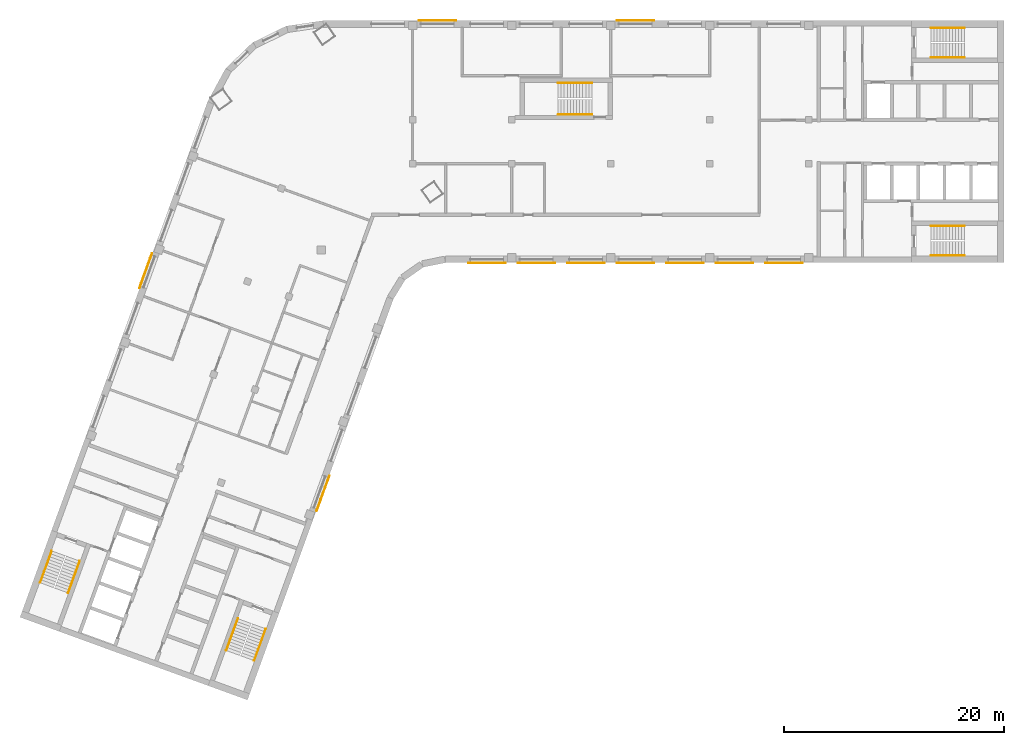
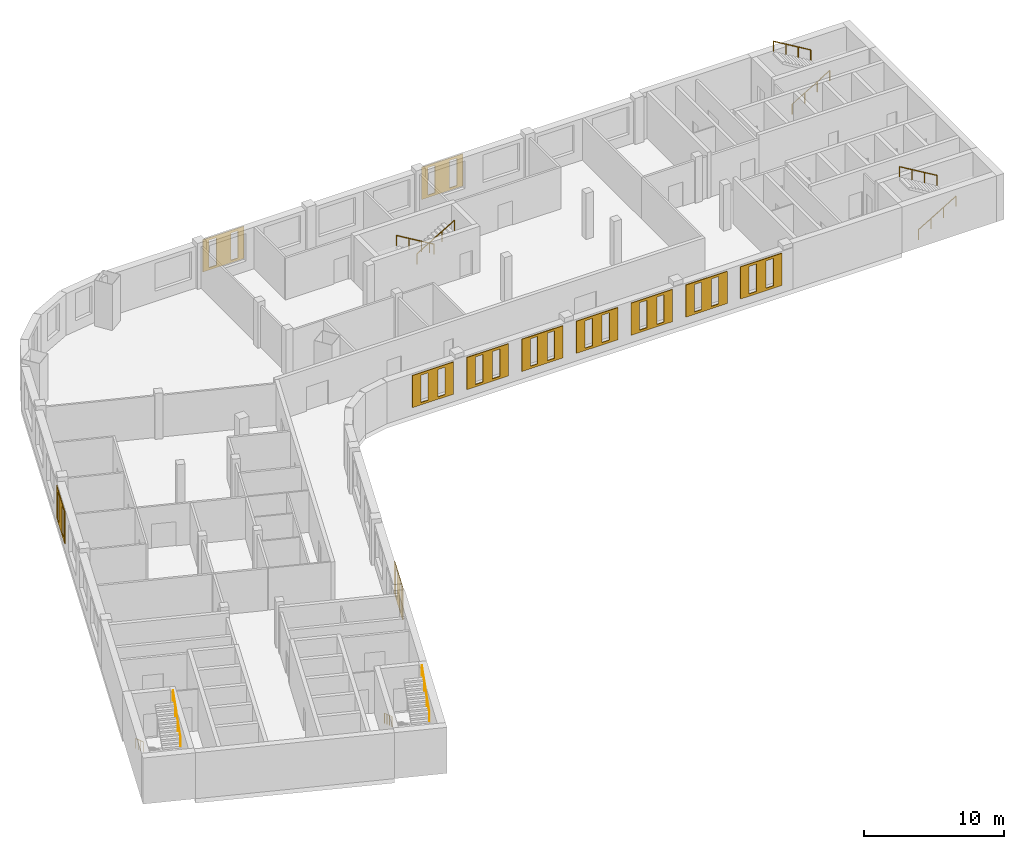
# One storey, part 8 of 8: 11 coverings, 10 railings.
"""IFC4 building model written with IfcOpenShell, lengths in metres."""

from ifc_helpers import new_model, si_unit, direction, frame, origin, origin_2d, place, context, subcontext, project, spatial, polyline, circle, outline, extrude, material, material_profile, profile_set, type_object, element, save


model = new_model("IFC4")

# Units and contexts
model_context = context("Model", 3, precision=1e-05, world=origin(), true_north=direction((0.0, 1.0)))
body_context = subcontext(model_context, "Body", "Model", "MODEL_VIEW")
ifc_project = project(units=[si_unit("LENGTHUNIT", "METRE"), si_unit("AREAUNIT", "SQUARE_METRE"), si_unit("VOLUMEUNIT", "CUBIC_METRE"), si_unit("PLANEANGLEUNIT", "RADIAN"), si_unit("MASSUNIT", "GRAM", prefix="KILO")], contexts=[model_context])

# Site, building, storey
site_placement = place(None, origin())
site = spatial("IfcSite", under=ifc_project, at=site_placement, CompositionType="ELEMENT")
building_placement = place(site_placement, origin())
building = spatial("IfcBuilding", under=site, at=building_placement, Name="Skarvind Civic Tower", CompositionType="ELEMENT")
storey_placement = place(building_placement, frame((0.0, 0.0, 232.0)))
storey = spatial("IfcBuildingStorey", under=building, at=storey_placement, Name="L55", CompositionType="ELEMENT", Elevation=232.0)

# Railings
ifc_material_1 = material(Name="Painted steel handrail", Category="steel")
railing_type = type_object("IfcRailingType", Name="Stair handrail 900", PredefinedType="HANDRAIL", material=ifc_material_1)
railing_1_placement = place(storey_placement, frame((101.35009765625, 135.64990234375, 0.166748046875)))
element("IfcRailing", 1, at=railing_1_placement, inside=storey, type_object=railing_type, Name="Stair handrail", PredefinedType="HANDRAIL", context=body_context, shape_type="SweptSolid", body=[
    extrude(circle(Radius=0.02392578125, at=origin_2d()), frame((0.0, 0.0, 0.8759765625), z_axis=(0.859290745958, 0.0, 0.51148745235), x_axis=(0.0, 1.0, 0.0)), (0.0, 0.0, 1.0), 3.584228515625),
    extrude(circle(Radius=0.02099609375, at=origin_2d()), origin(), (0.0, 0.0, 1.0), 0.851806640625),
    extrude(circle(Radius=0.02099609375, at=origin_2d()), frame((1.026611328125, 0.0, 0.611083984375)), (0.0, 0.0, 1.0), 0.851806640625),
    extrude(circle(Radius=0.02099609375, at=origin_2d()), frame((2.05322265625, 0.0, 1.22216796875)), (0.0, 0.0, 1.0), 0.851806640625),
    extrude(circle(Radius=0.02099609375, at=origin_2d()), frame((3.079833984375, 0.0, 1.833251953125)), (0.0, 0.0, 1.0), 0.851806640625),
])
railing_2_placement = place(storey_placement, frame((104.429931640625, 138.35009765625, 2.166748046875)))
element("IfcRailing", 2, at=railing_2_placement, inside=storey, type_object=railing_type, Name="Stair handrail", PredefinedType="HANDRAIL", context=body_context, shape_type="SweptSolid", body=[
    extrude(circle(Radius=0.02392578125, at=origin_2d()), frame((0.0, 0.0, 0.8759765625), z_axis=(-0.859290745958, 0.0, 0.51148745235), x_axis=(0.0, -1.0, 0.0)), (0.0, 0.0, 1.0), 3.584228515625),
    extrude(circle(Radius=0.02099609375, at=origin_2d()), origin(), (0.0, 0.0, 1.0), 0.851806640625),
    extrude(circle(Radius=0.02099609375, at=origin_2d()), frame((-1.026611328125, 0.0, 0.611083984375)), (0.0, 0.0, 1.0), 0.851806640625),
    extrude(circle(Radius=0.02099609375, at=origin_2d()), frame((-2.05322265625, 0.0, 1.22216796875)), (0.0, 0.0, 1.0), 0.851806640625),
    extrude(circle(Radius=0.02099609375, at=origin_2d()), frame((-3.079833984375, 0.0, 1.833251953125)), (0.0, 0.0, 1.0), 0.851806640625),
])
railing_3_placement = place(storey_placement, frame((101.35009765625, 117.64990234375, 0.166748046875)))
element("IfcRailing", 3, at=railing_3_placement, inside=storey, type_object=railing_type, Name="Stair handrail", PredefinedType="HANDRAIL", context=body_context, shape_type="SweptSolid", body=[
    extrude(circle(Radius=0.02392578125, at=origin_2d()), frame((0.0, 0.0, 0.8759765625), z_axis=(0.859290745958, 0.0, 0.51148745235), x_axis=(0.0, 1.0, 0.0)), (0.0, 0.0, 1.0), 3.584228515625),
    extrude(circle(Radius=0.02099609375, at=origin_2d()), origin(), (0.0, 0.0, 1.0), 0.851806640625),
    extrude(circle(Radius=0.02099609375, at=origin_2d()), frame((1.026611328125, 0.0, 0.611083984375)), (0.0, 0.0, 1.0), 0.851806640625),
    extrude(circle(Radius=0.02099609375, at=origin_2d()), frame((2.05322265625, 0.0, 1.22216796875)), (0.0, 0.0, 1.0), 0.851806640625),
    extrude(circle(Radius=0.02099609375, at=origin_2d()), frame((3.079833984375, 0.0, 1.833251953125)), (0.0, 0.0, 1.0), 0.851806640625),
])
railing_4_placement = place(storey_placement, frame((104.429931640625, 120.35009765625, 2.166748046875)))
element("IfcRailing", 4, at=railing_4_placement, inside=storey, type_object=railing_type, Name="Stair handrail", PredefinedType="HANDRAIL", context=body_context, shape_type="SweptSolid", body=[
    extrude(circle(Radius=0.02392578125, at=origin_2d()), frame((0.0, 0.0, 0.8759765625), z_axis=(-0.859290745958, 0.0, 0.51148745235), x_axis=(0.0, -1.0, 0.0)), (0.0, 0.0, 1.0), 3.584228515625),
    extrude(circle(Radius=0.02099609375, at=origin_2d()), origin(), (0.0, 0.0, 1.0), 0.851806640625),
    extrude(circle(Radius=0.02099609375, at=origin_2d()), frame((-1.026611328125, 0.0, 0.611083984375)), (0.0, 0.0, 1.0), 0.851806640625),
    extrude(circle(Radius=0.02099609375, at=origin_2d()), frame((-2.05322265625, 0.0, 1.22216796875)), (0.0, 0.0, 1.0), 0.851806640625),
    extrude(circle(Radius=0.02099609375, at=origin_2d()), frame((-3.079833984375, 0.0, 1.833251953125)), (0.0, 0.0, 1.0), 0.851806640625),
])
railing_5_placement = place(storey_placement, frame((38.362060546875, 84.64794921875, 0.166748046875)))
element("IfcRailing", 5, at=railing_5_placement, inside=storey, type_object=railing_type, Name="Stair handrail", PredefinedType="HANDRAIL", context=body_context, shape_type="SweptSolid", body=[
    extrude(circle(Radius=0.02392578125, at=origin_2d()), frame((0.0, 0.0, 0.8759765625), z_axis=(-0.293908055923, -0.807480881337, 0.511461319103), x_axis=(0.939689235759, -0.342029443467, 0.0)), (0.0, 0.0, 1.0), 3.584228515625),
    extrude(circle(Radius=0.02099609375, at=origin_2d()), origin(), (0.0, 0.0, 1.0), 0.851806640625),
    extrude(circle(Radius=0.02099609375, at=origin_2d()), frame((-0.35107421875, -0.96484375, 0.611083984375)), (0.0, 0.0, 1.0), 0.851806640625),
    extrude(circle(Radius=0.02099609375, at=origin_2d()), frame((-0.702392578125, -1.929443359375, 1.22216796875)), (0.0, 0.0, 1.0), 0.851806640625),
    extrude(circle(Radius=0.02099609375, at=origin_2d()), frame((-1.053466796875, -2.894287109375, 1.833251953125)), (0.0, 0.0, 1.0), 0.851806640625),
])
railing_6_placement = place(storey_placement, frame((39.845703125, 80.830078125, 2.166748046875)))
element("IfcRailing", 6, at=railing_6_placement, inside=storey, type_object=railing_type, Name="Stair handrail", PredefinedType="HANDRAIL", context=body_context, shape_type="SweptSolid", body=[
    extrude(circle(Radius=0.02392578125, at=origin_2d()), frame((0.0, 0.0, 0.8759765625), z_axis=(0.293908055923, 0.807480881337, 0.511461319103), x_axis=(-0.939689235759, 0.342029443467, 0.0)), (0.0, 0.0, 1.0), 3.584228515625),
    extrude(circle(Radius=0.02099609375, at=origin_2d()), origin(), (0.0, 0.0, 1.0), 0.851806640625),
    extrude(circle(Radius=0.02099609375, at=origin_2d()), frame((0.35107421875, 0.96484375, 0.611083984375)), (0.0, 0.0, 1.0), 0.851806640625),
    extrude(circle(Radius=0.02099609375, at=origin_2d()), frame((0.702392578125, 1.929443359375, 1.22216796875)), (0.0, 0.0, 1.0), 0.851806640625),
    extrude(circle(Radius=0.02099609375, at=origin_2d()), frame((1.053466796875, 2.894287109375, 1.833251953125)), (0.0, 0.0, 1.0), 0.851806640625),
])
railing_7_placement = place(storey_placement, frame((21.447509765625, 90.80419921875, 0.166748046875)))
element("IfcRailing", 7, at=railing_7_placement, inside=storey, type_object=railing_type, Name="Stair handrail", PredefinedType="HANDRAIL", context=body_context, shape_type="SweptSolid", body=[
    extrude(circle(Radius=0.02392578125, at=origin_2d()), frame((0.0, 0.0, 0.8759765625), z_axis=(-0.293845824691, -0.807497044902, 0.511471557163), x_axis=(0.939714709796, -0.34195944817, 0.0)), (0.0, 0.0, 1.0), 3.584228515625),
    extrude(circle(Radius=0.02099609375, at=origin_2d()), origin(), (0.0, 0.0, 1.0), 0.851806640625),
    extrude(circle(Radius=0.02099609375, at=origin_2d()), frame((-0.35107421875, -0.96484375, 0.611083984375)), (0.0, 0.0, 1.0), 0.851806640625),
    extrude(circle(Radius=0.02099609375, at=origin_2d()), frame((-0.7021484375, -1.929443359375, 1.22216796875)), (0.0, 0.0, 1.0), 0.851806640625),
    extrude(circle(Radius=0.02099609375, at=origin_2d()), frame((-1.05322265625, -2.894287109375, 1.833251953125)), (0.0, 0.0, 1.0), 0.851806640625),
])
railing_8_placement = place(storey_placement, frame((22.931396484375, 86.986572265625, 2.166748046875)))
element("IfcRailing", 8, at=railing_8_placement, inside=storey, type_object=railing_type, Name="Stair handrail", PredefinedType="HANDRAIL", context=body_context, shape_type="SweptSolid", body=[
    extrude(circle(Radius=0.02392578125, at=origin_2d()), frame((0.0, 0.0, 0.8759765625), z_axis=(0.293908055923, 0.807480881337, 0.511461319103), x_axis=(-0.939689235759, 0.342029443467, 0.0)), (0.0, 0.0, 1.0), 3.584228515625),
    extrude(circle(Radius=0.02099609375, at=origin_2d()), origin(), (0.0, 0.0, 1.0), 0.851806640625),
    extrude(circle(Radius=0.02099609375, at=origin_2d()), frame((0.35107421875, 0.96484375, 0.611083984375)), (0.0, 0.0, 1.0), 0.851806640625),
    extrude(circle(Radius=0.02099609375, at=origin_2d()), frame((0.702392578125, 1.929443359375, 1.22216796875)), (0.0, 0.0, 1.0), 0.851806640625),
    extrude(circle(Radius=0.02099609375, at=origin_2d()), frame((1.053466796875, 2.894287109375, 1.833251953125)), (0.0, 0.0, 1.0), 0.851806640625),
])
railing_9_placement = place(storey_placement, frame((70.550048828125, 133.35009765625, 0.166748046875)))
element("IfcRailing", 9, at=railing_9_placement, inside=storey, type_object=railing_type, Name="Stair handrail", PredefinedType="HANDRAIL", context=body_context, shape_type="SweptSolid", body=[
    extrude(circle(Radius=0.02392578125, at=origin_2d()), frame((0.0, 0.0, 0.8759765625), z_axis=(-0.859308565015, 0.0, 0.511457515432), x_axis=(0.0, -1.0, 0.0)), (0.0, 0.0, 1.0), 3.58447265625),
    extrude(circle(Radius=0.02099609375, at=origin_2d()), origin(), (0.0, 0.0, 1.0), 0.851806640625),
    extrude(circle(Radius=0.02099609375, at=origin_2d()), frame((-1.026611328125, 0.0, 0.611083984375)), (0.0, 0.0, 1.0), 0.851806640625),
    extrude(circle(Radius=0.02099609375, at=origin_2d()), frame((-2.053466796875, 0.0, 1.22216796875)), (0.0, 0.0, 1.0), 0.851806640625),
    extrude(circle(Radius=0.02099609375, at=origin_2d()), frame((-3.080078125, 0.0, 1.833251953125)), (0.0, 0.0, 1.0), 0.851806640625),
])
railing_10_placement = place(storey_placement, frame((67.469970703125, 130.449951171875, 2.166748046875)))
element("IfcRailing", 10, at=railing_10_placement, inside=storey, type_object=railing_type, Name="Stair handrail", PredefinedType="HANDRAIL", context=body_context, shape_type="SweptSolid", body=[
    extrude(circle(Radius=0.02392578125, at=origin_2d()), frame((0.0, 0.0, 0.8759765625), z_axis=(0.859308565015, 0.0, 0.511457515432), x_axis=(0.0, 1.0, 0.0)), (0.0, 0.0, 1.0), 3.58447265625),
    extrude(circle(Radius=0.02099609375, at=origin_2d()), origin(), (0.0, 0.0, 1.0), 0.851806640625),
    extrude(circle(Radius=0.02099609375, at=origin_2d()), frame((1.026611328125, 0.0, 0.611083984375)), (0.0, 0.0, 1.0), 0.851806640625),
    extrude(circle(Radius=0.02099609375, at=origin_2d()), frame((2.053466796875, 0.0, 1.22216796875)), (0.0, 0.0, 1.0), 0.851806640625),
    extrude(circle(Radius=0.02099609375, at=origin_2d()), frame((3.080078125, 0.0, 1.833251953125)), (0.0, 0.0, 1.0), 0.851806640625),
])

# Coverings
ifc_material_2 = material(Name="Terracotta", Category="masonry")
ifc_material_profile_1 = material_profile(ifc_material_2, outline(polyline([(-1.699951171875, -1.39990234375), (1.699951171875, -1.39990234375), (1.699951171875, 1.39990234375), (-1.699951171875, 1.39990234375), (-1.699951171875, -1.39990234375)]), holes=[polyline([(-1.0, -1.18994140625), (-0.39990234375, -1.18994140625), (-0.39990234375, 1.18994140625), (-1.0, 1.18994140625), (-1.0, -1.18994140625)]), polyline([(0.39990234375, -1.18994140625), (1.0, -1.18994140625), (1.0, 1.18994140625), (0.39990234375, 1.18994140625), (0.39990234375, -1.18994140625)])]), Name="TERRACOTTA SCREEN 3400 x 2800, SLIT PITCH 1400")
ifc_profile_set_1 = profile_set([ifc_material_profile_1], Name="Terracotta")
covering_type_1 = type_object("IfcCoveringType", Name="TERRACOTTA SCREEN 3400 x 2800, SLIT PITCH 1400", PredefinedType="CLADDING", material=ifc_profile_set_1)
for number, where, z_axis, x_axis, name in (
    (11, (88.0, 117.0, 2.10009765625), (0.0, -1.0, 0.0), (1.0, 0.0, 0.0), "TERRACOTTA SCREEN"),
    (12, (83.5, 117.0, 2.10009765625), (0.0, -1.0, 0.0), (1.0, 0.0, 0.0), "TERRACOTTA SCREEN"),
    (13, (79.0, 117.0, 2.10009765625), (0.0, -1.0, 0.0), (1.0, 0.0, 0.0), "TERRACOTTA SCREEN"),
    (14, (74.5, 117.0, 2.10009765625), (0.0, -1.0, 0.0), (1.0, 0.0, 0.0), "TERRACOTTA SCREEN"),
    (15, (70.0, 117.0, 2.10009765625), (0.0, -1.0, 0.0), (1.0, 0.0, 0.0), "TERRACOTTA SCREEN"),
    (16, (65.5, 117.0, 2.10009765625), (0.0, -1.0, 0.0), (1.0, 0.0, 0.0), "TERRACOTTA SCREEN"),
    (17, (61.0, 117.0, 2.10009765625), (0.0, -1.0, 0.0), (1.0, 0.0, 0.0), "TERRACOTTA SCREEN"),
):
    element("IfcCovering", number, at=place(storey_placement, frame(where, z_axis=z_axis, x_axis=x_axis)), inside=storey, type_object=covering_type_1, Name=name, PredefinedType="CLADDING", context=body_context, shape_type="SweptSolid", body=[
        extrude(outline(polyline([(-1.699951171875, -1.39990234375), (1.699951171875, -1.39990234375), (1.699951171875, 1.39990234375), (-1.699951171875, 1.39990234375), (-1.699951171875, -1.39990234375)]), holes=[polyline([(-1.0, -1.18994140625), (-0.39990234375, -1.18994140625), (-0.39990234375, 1.18994140625), (-1.0, 1.18994140625), (-1.0, -1.18994140625)]), polyline([(0.39990234375, -1.18994140625), (1.0, -1.18994140625), (1.0, 1.18994140625), (0.39990234375, 1.18994140625), (0.39990234375, -1.18994140625)])]), origin(), (0.0, 0.0, 1.0), 0.06005859375),
    ])
ifc_material_profile_2 = material_profile(ifc_material_2, outline(polyline([(-1.699951171875, -1.39990234375), (1.699951171875, -1.39990234375), (1.699951171875, 1.39990234375), (-1.699951171875, 1.39990234375), (-1.699951171875, -1.39990234375)]), holes=[polyline([(-1.199951171875, -1.18994140625), (-0.60009765625, -1.18994140625), (-0.60009765625, 1.18994140625), (-1.199951171875, 1.18994140625), (-1.199951171875, -1.18994140625)]), polyline([(0.60009765625, -1.18994140625), (1.199951171875, -1.18994140625), (1.199951171875, 1.18994140625), (0.60009765625, 1.18994140625), (0.60009765625, -1.18994140625)])]), Name="TERRACOTTA SCREEN 3400 x 2800, SLIT PITCH 1800")
ifc_profile_set_2 = profile_set([ifc_material_profile_2], Name="Terracotta")
covering_type_2 = type_object("IfcCoveringType", Name="TERRACOTTA SCREEN 3400 x 2800, SLIT PITCH 1800", PredefinedType="CLADDING", material=ifc_profile_set_2)
for number, where, z_axis, x_axis, name in (
    (18, (46.075927734375, 96.047119140625, 2.10009765625), (0.939793423488, -0.341743063087, 0.0), (0.341743063087, 0.939793423488, 0.0), "TERRACOTTA SCREEN"),
    (19, (56.5, 139.0, 2.10009765625), (0.0, 1.0, 0.0), (-1.0, 0.0, 0.0), "TERRACOTTA SCREEN"),
    (20, (74.5, 139.0, 2.10009765625), (0.0, 1.0, 0.0), (-1.0, 0.0, 0.0), "TERRACOTTA SCREEN"),
    (21, (30.02001953125, 116.25732421875, 2.10009765625), (-0.939793423488, 0.341743063087, 0.0), (-0.341743063087, -0.939793423488, 0.0), "TERRACOTTA SCREEN"),
):
    element("IfcCovering", number, at=place(storey_placement, frame(where, z_axis=z_axis, x_axis=x_axis)), inside=storey, type_object=covering_type_2, Name=name, PredefinedType="CLADDING", context=body_context, shape_type="SweptSolid", body=[
        extrude(outline(polyline([(-1.699951171875, -1.39990234375), (1.699951171875, -1.39990234375), (1.699951171875, 1.39990234375), (-1.699951171875, 1.39990234375), (-1.699951171875, -1.39990234375)]), holes=[polyline([(-1.199951171875, -1.18994140625), (-0.60009765625, -1.18994140625), (-0.60009765625, 1.18994140625), (-1.199951171875, 1.18994140625), (-1.199951171875, -1.18994140625)]), polyline([(0.60009765625, -1.18994140625), (1.199951171875, -1.18994140625), (1.199951171875, 1.18994140625), (0.60009765625, 1.18994140625), (0.60009765625, -1.18994140625)])]), origin(), (0.0, 0.0, 1.0), 0.06005859375),
    ])

save(model, "model.ifc")
